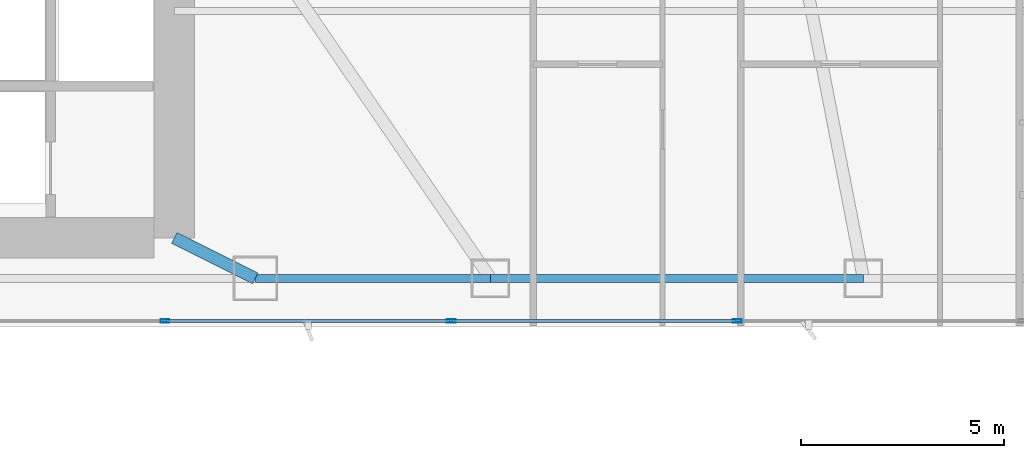
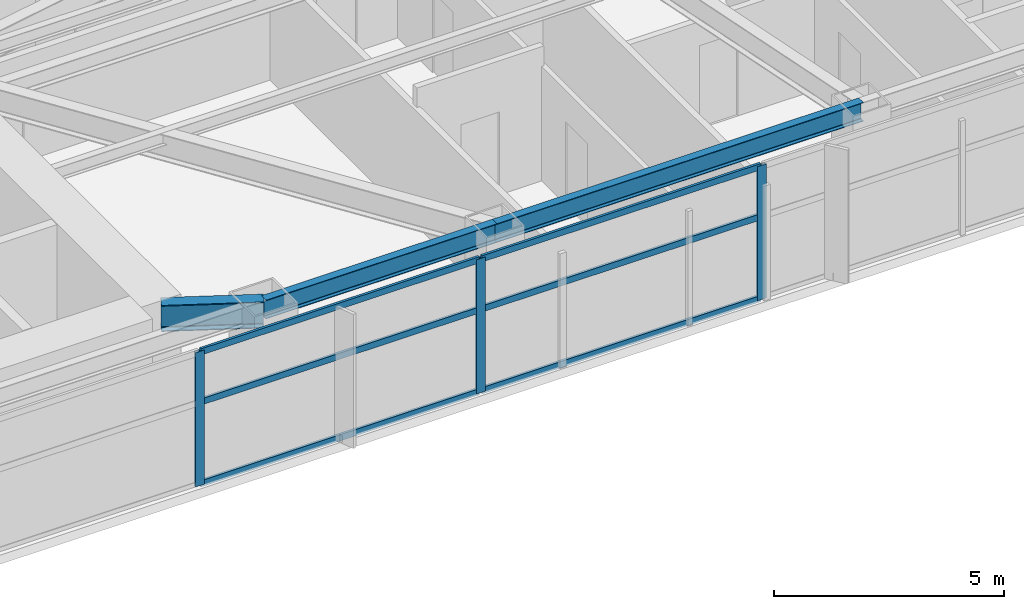
# One storey, part 12 of 29: 9 members, 3 beams, 1 element without a shape of its own.
"""IFC4 building model written with IfcOpenShell, lengths in metres."""

from ifc_helpers import new_model, si_unit, direction, frame, origin, origin_2d, place, context, subcontext, project, spatial, hollow_rectangle, i_section, extrude, material, layer, layer_set, material_profile, profile_set, type_object, element, aggregate, save


model = new_model("IFC4")

# Units and contexts
model_context = context("Model", 3, precision=1e-05, world=origin(), true_north=direction((0.0, 1.0)))
body_context = subcontext(model_context, "Body", "Model", "MODEL_VIEW")
ifc_project = project(units=[si_unit("LENGTHUNIT", "METRE"), si_unit("AREAUNIT", "SQUARE_METRE"), si_unit("VOLUMEUNIT", "CUBIC_METRE"), si_unit("PLANEANGLEUNIT", "RADIAN"), si_unit("MASSUNIT", "GRAM", prefix="KILO")], contexts=[model_context])

# Site, building, storey
site_placement = place(None, origin())
site = spatial("IfcSite", under=ifc_project, at=site_placement, CompositionType="ELEMENT")
building_placement = place(site_placement, origin())
building = spatial("IfcBuilding", under=site, at=building_placement, Name="Calvorn Quay Hotel", CompositionType="ELEMENT")
storey_placement = place(building_placement, frame((0.0, 0.0, 81.199951171875)))
storey = spatial("IfcBuildingStorey", under=building, at=storey_placement, Name="L19", CompositionType="ELEMENT", Elevation=81.199951171875)

# Beams
ifc_material_1 = material(Name="Steel Q390GJC", Category="steel")
ifc_material_profile_1 = material_profile(ifc_material_1, i_section(OverallWidth=0.300048828125, OverallDepth=0.699951171875, WebThickness=0.012939453125, FlangeThickness=0.02392578125, FilletRadius=0.02392578125, at=origin_2d()), Name="HN700x300x13x24")
ifc_profile_set_1 = profile_set([ifc_material_profile_1], Name="Steel Q390GJC")
beam_type_1 = type_object("IfcBeamType", Name="BM-GIRD-MAIN", PredefinedType="BEAM", material=ifc_profile_set_1)
beam_1_placement = place(storey_placement, frame((34.39990234375, 3.60009765625, 3.18994140625), z_axis=(-0.894427191, 0.4472135955, 0.0), x_axis=(-0.4472135955, -0.894427191, 0.0)))
element("IfcBeam", 1, at=beam_1_placement, inside=storey, type_object=beam_type_1, Name="Beam BG-L19-S3", PredefinedType="BEAM", context=body_context, shape_type="SweptSolid", body=[
    extrude(i_section(OverallWidth=0.300048828125, OverallDepth=0.699951171875, WebThickness=0.012939453125, FlangeThickness=0.02392578125, FilletRadius=0.02392578125, at=origin_2d()), origin(), (0.0, 0.0, 1.0), 2.236083984375),
])
ifc_material_2 = material(Name="Steel Q355B", Category="steel")
ifc_material_profile_2 = material_profile(ifc_material_2, i_section(OverallWidth=0.199951171875, OverallDepth=0.5, WebThickness=0.010009765625, FlangeThickness=0.01611328125, FilletRadius=0.01611328125, at=origin_2d()), Name="HN500x200x10x16")
ifc_profile_set_2 = profile_set([ifc_material_profile_2], Name="Steel Q355B")
beam_type_2 = type_object("IfcBeamType", Name="BM-SPANDREL-Z1", PredefinedType="SPANDREL", material=ifc_profile_set_2)
beam_2_placement = place(storey_placement, frame((34.39990234375, 3.60009765625, 3.2900390625), z_axis=(1.0, 0.0, 0.0), x_axis=(0.0, 1.0, 0.0)))
element("IfcBeam", 2, at=beam_2_placement, inside=storey, type_object=beam_type_2, Name="Beam BSP-L19-S4", PredefinedType="SPANDREL", context=body_context, shape_type="SweptSolid", body=[
    extrude(i_section(OverallWidth=0.199951171875, OverallDepth=0.5, WebThickness=0.010009765625, FlangeThickness=0.01611328125, FilletRadius=0.01611328125, at=origin_2d()), origin(), (0.0, 0.0, 1.0), 5.800048828125),
])
beam_3_placement = place(storey_placement, frame((40.199951171875, 3.60009765625, 3.2900390625), z_axis=(1.0, 0.0, 0.0), x_axis=(0.0, 1.0, 0.0)))
element("IfcBeam", 3, at=beam_3_placement, inside=storey, type_object=beam_type_2, Name="Beam BSP-L19-S5", PredefinedType="SPANDREL", context=body_context, shape_type="SweptSolid", body=[
    extrude(i_section(OverallWidth=0.199951171875, OverallDepth=0.5, WebThickness=0.010009765625, FlangeThickness=0.01611328125, FilletRadius=0.01611328125, at=origin_2d()), origin(), (0.0, 0.0, 1.0), 9.199951171875),
])

# Curtain wall, members
ifc_material_3 = material(Name="Pale Anodised Aluminium and Low-E Glass", Category="aluminium")
ifc_layer = layer(ifc_material_3, 0.219970703125)
ifc_layer_set = layer_set([ifc_layer], Name="CW-SYS-Z1")
curtain_wall_type = type_object("IfcCurtainWallType", Name="CW-SYS-Z1", PredefinedType="NOTDEFINED", material=ifc_layer_set)
curtain_wall_placement = place(storey_placement, origin())
curtain_wall = element("IfcCurtainWall", 4, at=curtain_wall_placement, inside=storey, type_object=curtain_wall_type, Name="Tower South Waterfront Curtain Wall (L19)", PredefinedType="NOTDEFINED")
ifc_material_4 = material(Name="Pale Anodised Aluminium 6063-T6", Category="aluminium")
ifc_material_profile_3 = material_profile(ifc_material_4, hollow_rectangle(XDim=0.074951171875, YDim=0.219970703125, WallThickness=0.00439453125, at=origin_2d()), Name="ALU-M220x75x4.5")
ifc_profile_set_3 = profile_set([ifc_material_profile_3], Name="Pale Anodised Aluminium 6063-T6")
member_type_1 = type_object("IfcMemberType", Name="CW-SYS-Z1-MUL", PredefinedType="MULLION", material=ifc_profile_set_3)
member_1_placement = place(storey_placement, frame((32.17138671875, 2.550048828125, 0.0), z_axis=(0.0, 0.0, 1.0), x_axis=(0.0, 1.0, 0.0)))
member_1 = element("IfcMember", 5, at=member_1_placement, type_object=member_type_1, Name="CW-L19-S mullion 4", PredefinedType="MULLION", context=body_context, shape_type="SweptSolid", body=[
    extrude(hollow_rectangle(XDim=0.074951171875, YDim=0.219970703125, WallThickness=0.00439453125, at=origin_2d()), origin(), (0.0, 0.0, 1.0), 3.56005859375),
])
member_2_placement = place(storey_placement, frame((39.228515625, 2.550048828125, 0.0), z_axis=(0.0, 0.0, 1.0), x_axis=(0.0, 1.0, 0.0)))
member_2 = element("IfcMember", 6, at=member_2_placement, type_object=member_type_1, Name="CW-L19-S mullion 5", PredefinedType="MULLION", context=body_context, shape_type="SweptSolid", body=[
    extrude(hollow_rectangle(XDim=0.074951171875, YDim=0.219970703125, WallThickness=0.00439453125, at=origin_2d()), origin(), (0.0, 0.0, 1.0), 3.56005859375),
])
member_3_placement = place(storey_placement, frame((46.28564453125, 2.550048828125, 0.0), z_axis=(0.0, 0.0, 1.0), x_axis=(0.0, 1.0, 0.0)))
member_3 = element("IfcMember", 7, at=member_3_placement, type_object=member_type_1, Name="CW-L19-S mullion 6", PredefinedType="MULLION", context=body_context, shape_type="SweptSolid", body=[
    extrude(hollow_rectangle(XDim=0.074951171875, YDim=0.219970703125, WallThickness=0.00439453125, at=origin_2d()), origin(), (0.0, 0.0, 1.0), 3.56005859375),
])
ifc_material_5 = material(Name="Pale Anodised Aluminium 6063-T6", Category="aluminium")
ifc_material_profile_4 = material_profile(ifc_material_5, hollow_rectangle(XDim=0.06494140625, YDim=0.1650390625, WallThickness=0.00341796875, at=origin_2d()), Name="ALU-T165x65x3.5")
ifc_profile_set_4 = profile_set([ifc_material_profile_4], Name="Pale Anodised Aluminium 6063-T6")
member_type_2 = type_object("IfcMemberType", Name="CW-SYS-Z1-TRN", PredefinedType="USERDEFINED", material=ifc_profile_set_4)
member_4_placement = place(storey_placement, frame((32.201416015625, 2.550048828125, 0.030029296875), z_axis=(1.0, 0.0, 0.0), x_axis=(0.0, 1.0, 0.0)))
member_4 = element("IfcMember", 8, at=member_4_placement, type_object=member_type_2, Name="CW-L19-S transom 4.1", ObjectType="TRANSOM", PredefinedType="USERDEFINED", context=body_context, shape_type="SweptSolid", body=[
    extrude(hollow_rectangle(XDim=0.06494140625, YDim=0.1650390625, WallThickness=0.00341796875, at=origin_2d()), origin(), (0.0, 0.0, 1.0), 6.9970703125),
])
member_5_placement = place(storey_placement, frame((32.201416015625, 2.550048828125, 2.199951171875), z_axis=(1.0, 0.0, 0.0), x_axis=(0.0, 1.0, 0.0)))
member_5 = element("IfcMember", 9, at=member_5_placement, type_object=member_type_2, Name="CW-L19-S transom 4.2", ObjectType="TRANSOM", PredefinedType="USERDEFINED", context=body_context, shape_type="SweptSolid", body=[
    extrude(hollow_rectangle(XDim=0.06494140625, YDim=0.1650390625, WallThickness=0.00341796875, at=origin_2d()), origin(), (0.0, 0.0, 1.0), 6.9970703125),
])
member_6_placement = place(storey_placement, frame((32.201416015625, 2.550048828125, 3.530029296875), z_axis=(1.0, 0.0, 0.0), x_axis=(0.0, 1.0, 0.0)))
member_6 = element("IfcMember", 10, at=member_6_placement, type_object=member_type_2, Name="CW-L19-S transom 4.3", ObjectType="TRANSOM", PredefinedType="USERDEFINED", context=body_context, shape_type="SweptSolid", body=[
    extrude(hollow_rectangle(XDim=0.06494140625, YDim=0.1650390625, WallThickness=0.00341796875, at=origin_2d()), origin(), (0.0, 0.0, 1.0), 6.9970703125),
])
member_7_placement = place(storey_placement, frame((39.258544921875, 2.550048828125, 0.030029296875), z_axis=(1.0, 0.0, 0.0), x_axis=(0.0, 1.0, 0.0)))
member_7 = element("IfcMember", 11, at=member_7_placement, type_object=member_type_2, Name="CW-L19-S transom 5.1", ObjectType="TRANSOM", PredefinedType="USERDEFINED", context=body_context, shape_type="SweptSolid", body=[
    extrude(hollow_rectangle(XDim=0.06494140625, YDim=0.1650390625, WallThickness=0.00341796875, at=origin_2d()), origin(), (0.0, 0.0, 1.0), 6.9970703125),
])
member_8_placement = place(storey_placement, frame((39.258544921875, 2.550048828125, 2.199951171875), z_axis=(1.0, 0.0, 0.0), x_axis=(0.0, 1.0, 0.0)))
member_8 = element("IfcMember", 12, at=member_8_placement, type_object=member_type_2, Name="CW-L19-S transom 5.2", ObjectType="TRANSOM", PredefinedType="USERDEFINED", context=body_context, shape_type="SweptSolid", body=[
    extrude(hollow_rectangle(XDim=0.06494140625, YDim=0.1650390625, WallThickness=0.00341796875, at=origin_2d()), origin(), (0.0, 0.0, 1.0), 6.9970703125),
])
member_9_placement = place(storey_placement, frame((39.258544921875, 2.550048828125, 3.530029296875), z_axis=(1.0, 0.0, 0.0), x_axis=(0.0, 1.0, 0.0)))
member_9 = element("IfcMember", 13, at=member_9_placement, type_object=member_type_2, Name="CW-L19-S transom 5.3", ObjectType="TRANSOM", PredefinedType="USERDEFINED", context=body_context, shape_type="SweptSolid", body=[
    extrude(hollow_rectangle(XDim=0.06494140625, YDim=0.1650390625, WallThickness=0.00341796875, at=origin_2d()), origin(), (0.0, 0.0, 1.0), 6.9970703125),
])
aggregate(curtain_wall, [member_1, member_2, member_3, member_4, member_5, member_6, member_7, member_8, member_9])

save(model, "model.ifc")
